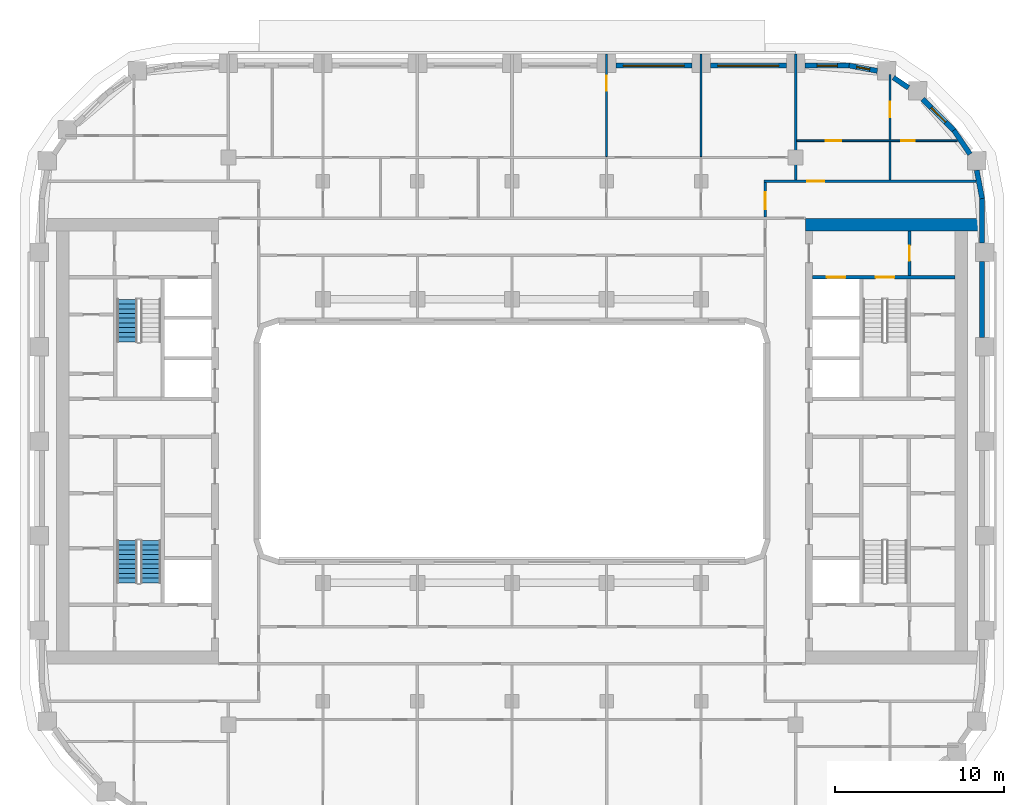
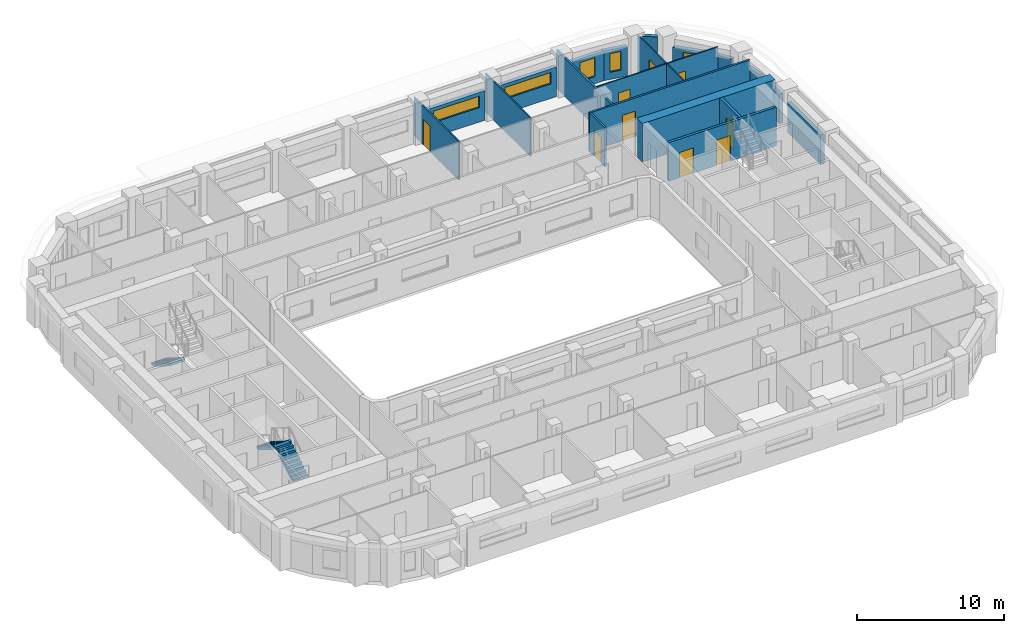
# One storey, part 9 of 22: 21 walls, 9 doors, 5 windows, 3 stair flights, 14 openings, 2 elements without a shape of their own.
"""IFC4 building model written with IfcOpenShell, lengths in metres."""

from ifc_helpers import new_model, si_unit, direction, frame, frame_2d, origin, place, context, subcontext, project, spatial, polyline, rectangle, outline, extrude, material, layer, layer_set, type_object, element, fill, aggregate, save


model = new_model("IFC4")

# Units and contexts
model_context = context("Model", 3, precision=1e-05, world=origin(), true_north=direction((0.0, 1.0)))
body_context = subcontext(model_context, "Body", "Model", "MODEL_VIEW")
ifc_project = project(units=[si_unit("LENGTHUNIT", "METRE"), si_unit("AREAUNIT", "SQUARE_METRE"), si_unit("VOLUMEUNIT", "CUBIC_METRE"), si_unit("PLANEANGLEUNIT", "RADIAN"), si_unit("MASSUNIT", "GRAM", prefix="KILO")], contexts=[model_context])

# Site, building, storey
site_placement = place(None, origin())
site = spatial("IfcSite", under=ifc_project, at=site_placement, CompositionType="ELEMENT")
building_placement = place(site_placement, origin())
building = spatial("IfcBuilding", under=site, at=building_placement, Name="Kiln Ring Residences", CompositionType="ELEMENT")
storey_placement = place(building_placement, frame((0.0, 0.0, 146.60009765625)))
storey = spatial("IfcBuildingStorey", under=building, at=storey_placement, Name="L37", CompositionType="ELEMENT", Elevation=146.60009765625)

# Wall, opening, door
ifc_material_1 = material(Name="Gypsum board on steel studs", Category="steel")
ifc_layer_1 = layer(ifc_material_1, 0.199951171875)
ifc_layer_set_1 = layer_set([ifc_layer_1], Name="CORE-PARTITION-200")
wall_type_1 = type_object("IfcWallType", Name="CORE-PARTITION-200", PredefinedType="PARTITIONING", material=ifc_layer_set_1)
wall_1_placement = place(storey_placement, frame((23.550048828125, 9.800048828125, 0.0), z_axis=(0.0, 0.0, 1.0), x_axis=(0.0, 1.0, 0.0)))
wall_1 = element("IfcWall", 1, at=wall_1_placement, inside=storey, type_object=wall_type_1, Name="Core partition east L37 4", PredefinedType="PARTITIONING", context=body_context, shape_type="SweptSolid", body=[
    extrude(rectangle(XDim=2.64990234375, YDim=0.199951171875, at=frame_2d((1.324951171875, 0.0))), origin(), (0.0, 0.0, 1.0), 3.199951171875),
])
opening_1_placement = place(wall_1_placement, frame((0.875, 0.0, 0.0)))
opening_1 = element("IfcOpeningElement", 2, at=opening_1_placement, cuts=wall_1, Name="Opening L37-CE09", PredefinedType="OPENING", context=body_context, shape_type="SweptSolid", body=[
    extrude(rectangle(XDim=0.89990234375, YDim=2.10009765625, at=frame_2d((0.449951171875, 1.050048828125))), frame((0.0, 0.10986328125, 0.0), z_axis=(0.0, -1.0, 0.0), x_axis=(1.0, 0.0, 0.0)), (0.0, 0.0, 1.0), 0.219970703125),
])
ifc_material_2 = material(Name="Steel door leaf", Category="steel")
door_type_1 = type_object("IfcDoorType", Name="CORE-DOOR-ROOM", OperationType="SINGLE_SWING_LEFT", PredefinedType="DOOR", material=ifc_material_2)
door_1_placement = place(opening_1_placement, origin())
door_1 = element("IfcDoor", 3, at=door_1_placement, inside=storey, type_object=door_type_1, Name="Fire riser room L37-CE09", OperationType="SINGLE_SWING_RIGHT", OverallHeight=2.10009765625, OverallWidth=0.89990234375, PredefinedType="DOOR", context=body_context, shape_type="SweptSolid", body=[
    extrude(rectangle(XDim=0.89990234375, YDim=2.10009765625, at=frame_2d((0.449951171875, 1.050048828125))), frame((0.0, 0.02490234375, 0.0), z_axis=(0.0, -1.0, 0.0), x_axis=(1.0, 0.0, 0.0)), (0.0, 0.0, 1.0), 0.050048828125),
])
fill(opening_1, door_1)

# Wall, openings, doors
ifc_material_3 = material(Name="Concrete C40/50", Category="concrete")
ifc_layer_2 = layer(ifc_material_3, 0.199951171875)
ifc_layer_set_2 = layer_set([ifc_layer_2], Name="CORE-WALL-RC200")
wall_type_2 = type_object("IfcWallType", Name="CORE-WALL-RC200", PredefinedType="SHEAR", material=ifc_layer_set_2)
wall_2_placement = place(storey_placement, frame((17.800048828125, 9.699951171875, 0.0), z_axis=(0.0, 0.0, 1.0), x_axis=(1.0, 0.0, 0.0)))
wall_2 = element("IfcWall", 4, at=wall_2_placement, inside=storey, type_object=wall_type_2, Name="Core wall east L37 9", PredefinedType="SHEAR", context=body_context, shape_type="SweptSolid", body=[
    extrude(rectangle(XDim=8.449951171875, YDim=0.199951171875, at=frame_2d((4.22509765625, 0.0))), origin(), (0.0, 0.0, 1.0), 3.199951171875),
])
opening_2_placement = place(wall_2_placement, frame((0.85009765625, 0.0, 0.0)))
opening_2 = element("IfcOpeningElement", 5, at=opening_2_placement, cuts=wall_2, Name="Opening L37-CE06", PredefinedType="OPENING", context=body_context, shape_type="SweptSolid", body=[
    extrude(rectangle(XDim=1.10009765625, YDim=2.10009765625, at=frame_2d((0.550048828125, 1.050048828125))), frame((0.0, 0.10986328125, 0.0), z_axis=(0.0, -1.0, 0.0), x_axis=(1.0, 0.0, 0.0)), (0.0, 0.0, 1.0), 0.219970703125),
])
opening_3_placement = place(wall_2_placement, frame((3.75, 0.0, 0.0)))
opening_3 = element("IfcOpeningElement", 6, at=opening_3_placement, cuts=wall_2, Name="Opening L37-CE11", PredefinedType="OPENING", context=body_context, shape_type="SweptSolid", body=[
    extrude(rectangle(XDim=1.10009765625, YDim=2.10009765625, at=frame_2d((0.550048828125, 1.050048828125))), frame((0.0, 0.10986328125, 0.0), z_axis=(0.0, -1.0, 0.0), x_axis=(1.0, 0.0, 0.0)), (0.0, 0.0, 1.0), 0.219970703125),
])
ifc_material_4 = material(Name="Steel door leaf", Category="steel")
door_type_2 = type_object("IfcDoorType", Name="CORE-DOOR-LD", OperationType="DOUBLE_DOOR_SLIDING", PredefinedType="DOOR", material=ifc_material_4)
door_2_placement = place(opening_2_placement, origin())
door_2 = element("IfcDoor", 7, at=door_2_placement, inside=storey, type_object=door_type_2, Name="LD E-FF L37-CE06", OperationType="DOUBLE_DOOR_SLIDING", OverallHeight=2.10009765625, OverallWidth=1.10009765625, PredefinedType="DOOR", context=body_context, shape_type="SweptSolid", body=[
    extrude(rectangle(XDim=1.10009765625, YDim=2.10009765625, at=frame_2d((0.550048828125, 1.050048828125))), frame((0.0, 0.02490234375, 0.0), z_axis=(0.0, -1.0, 0.0), x_axis=(1.0, 0.0, 0.0)), (0.0, 0.0, 1.0), 0.050048828125),
])
fill(opening_2, door_2)
ifc_material_5 = material(Name="Steel door leaf", Category="steel")
door_type_3 = type_object("IfcDoorType", Name="CORE-DOOR-STAIR", OperationType="SINGLE_SWING_LEFT", PredefinedType="DOOR", material=ifc_material_5)
door_3_placement = place(opening_3_placement, origin())
door_3 = element("IfcDoor", 8, at=door_3_placement, inside=storey, type_object=door_type_3, Name="Stair E-STN L37-CE11", OperationType="SINGLE_SWING_RIGHT", OverallHeight=2.10009765625, OverallWidth=1.10009765625, PredefinedType="DOOR", context=body_context, shape_type="SweptSolid", body=[
    extrude(rectangle(XDim=1.10009765625, YDim=2.10009765625, at=frame_2d((0.550048828125, 1.050048828125))), frame((0.0, 0.02490234375, 0.0), z_axis=(0.0, -1.0, 0.0), x_axis=(1.0, 0.0, 0.0)), (0.0, 0.0, 1.0), 0.050048828125),
])
fill(opening_3, door_3)

# Walls
ifc_material_6 = material(Name="Concrete C60/75", Category="concrete")
ifc_layer_3 = layer(ifc_material_6, 0.75)
ifc_layer_set_3 = layer_set([ifc_layer_3], Name="CORE-WALL-RC750")
wall_type_3 = type_object("IfcWallType", Name="CORE-WALL-RC750", PredefinedType="SHEAR", material=ifc_layer_set_3)
wall_3_placement = place(storey_placement, frame((17.39990234375, 12.824951171875, 0.0), z_axis=(0.0, 0.0, 1.0), x_axis=(1.0, 0.0, 0.0)))
element("IfcWall", 9, at=wall_3_placement, inside=storey, type_object=wall_type_3, Name="Core wall east L37 4", PredefinedType="SHEAR", context=body_context, shape_type="SweptSolid", body=[
    extrude(rectangle(XDim=10.400146484375, YDim=0.75, at=frame_2d((5.2001953125, 0.0))), origin(), (0.0, 0.0, 1.0), 3.199951171875),
])
ifc_material_7 = material(Name="Brick masonry, dark clay brick", Category="masonry")
ifc_layer_4 = layer(ifc_material_7, 0.300048828125)
ifc_layer_set_4 = layer_set([ifc_layer_4], Name="EW-300 BRICK WALL")
wall_type_4 = type_object("IfcWallType", Name="EW-300 BRICK WALL", PredefinedType="SOLIDWALL", material=ifc_layer_set_4)
wall_4_placement = place(storey_placement, frame((27.85009765625, 6.14990234375, 0.0), z_axis=(0.0, 0.0, 1.0), x_axis=(0.0, 1.0, 0.0)))
element("IfcWall", 10, at=wall_4_placement, inside=storey, type_object=wall_type_4, Name="Facade wall L37 21", PredefinedType="SOLIDWALL", context=body_context, shape_type="SweptSolid", body=[
    extrude(rectangle(XDim=4.5, YDim=0.300048828125, at=frame_2d((2.25, 0.0))), origin(), (0.0, 0.0, 1.0), 2.449951171875),
])
wall_5_placement = place(storey_placement, frame((27.85009765625, 11.75, 0.0), z_axis=(0.0, 0.0, 1.0), x_axis=(0.0, 1.0, 0.0)))
element("IfcWall", 11, at=wall_5_placement, inside=storey, type_object=wall_type_4, Name="Facade wall L37 22", PredefinedType="SOLIDWALL", context=body_context, shape_type="SweptSolid", body=[
    extrude(rectangle(XDim=2.64990234375, YDim=0.300048828125, at=frame_2d((1.324951171875, 0.0))), origin(), (0.0, 0.0, 1.0), 2.449951171875),
])
wall_6_placement = place(storey_placement, frame((27.8525390625, 14.371826171875, 0.0), z_axis=(0.0, 0.0, 1.0), x_axis=(-0.187302784601, 0.982302227871, 0.0)))
element("IfcWall", 12, at=wall_6_placement, inside=storey, type_object=wall_type_4, Name="Facade wall L37 23", PredefinedType="SOLIDWALL", context=body_context, shape_type="SweptSolid", body=[
    extrude(rectangle(XDim=1.706298828125, YDim=0.300048828125, at=frame_2d((0.85302734375, 0.0))), origin(), (0.0, 0.0, 1.0), 2.449951171875),
])
wall_7_placement = place(storey_placement, frame((27.137939453125, 17.001708984375, 0.0), z_axis=(0.0, 0.0, 1.0), x_axis=(-0.562075160946, 0.827086158419, 0.0)))
element("IfcWall", 13, at=wall_7_placement, inside=storey, type_object=wall_type_4, Name="Facade wall L37 24", PredefinedType="SOLIDWALL", context=body_context, shape_type="SweptSolid", body=[
    extrude(rectangle(XDim=1.7060546875, YDim=0.300048828125, at=frame_2d((0.85302734375, 0.0))), origin(), (0.0, 0.0, 1.0), 2.449951171875),
])

# Wall, opening, window
wall_8_placement = place(storey_placement, frame((26.19677734375, 18.390869140625, 0.0), z_axis=(0.0, 0.0, 1.0), x_axis=(-0.707060717099, 0.707152842274, 0.0)))
wall_8 = element("IfcWall", 14, at=wall_8_placement, inside=storey, type_object=wall_type_4, Name="Facade wall L37 25", PredefinedType="SOLIDWALL", context=body_context, shape_type="SweptSolid", body=[
    extrude(rectangle(XDim=2.650146484375, YDim=0.300048828125, at=frame_2d((1.3251953125, 0.0))), origin(), (0.0, 0.0, 1.0), 2.449951171875),
])
opening_4_placement = place(wall_8_placement, frame((0.72509765625, 0.0, 0.60009765625)))
opening_4 = element("IfcOpeningElement", 15, at=opening_4_placement, cuts=wall_8, Name="Opening W1", PredefinedType="OPENING", context=body_context, shape_type="SweptSolid", body=[
    extrude(rectangle(XDim=1.199951171875, YDim=1.550048828125, at=frame_2d((0.60009765625, 0.77490234375))), frame((0.0, 0.159912109375, 0.0), z_axis=(0.0, -1.0, 0.0), x_axis=(1.0, 0.0, 0.0)), (0.0, 0.0, 1.0), 0.320068359375),
])
ifc_material_8 = material(Name="Aluminium frame with double glazing", Category="aluminium")
window_type_1 = type_object("IfcWindowType", Name="WINDOW 1200 x 1550", PartitioningType="SINGLE_PANEL", PredefinedType="WINDOW", material=ifc_material_8)
window_1_placement = place(opening_4_placement, origin())
window_1 = element("IfcWindow", 16, at=window_1_placement, inside=storey, type_object=window_type_1, Name="Window L37 14", OverallHeight=1.550048828125, OverallWidth=1.199951171875, PartitioningType="SINGLE_PANEL", PredefinedType="WINDOW", context=body_context, shape_type="SweptSolid", body=[
    extrude(rectangle(XDim=1.199951171875, YDim=1.550048828125, at=frame_2d((0.60009765625, 0.77490234375))), frame((0.0, 0.030029296875, 0.0), z_axis=(0.0, -1.0, 0.0), x_axis=(1.0, 0.0, 0.0)), (0.0, 0.0, 1.0), 0.06005859375),
])
fill(opening_4, window_1)

# Wall
wall_9_placement = place(storey_placement, frame((23.492431640625, 20.932373046875, 0.0), z_axis=(0.0, 0.0, 1.0), x_axis=(-0.826993959827, 0.562210806023, 0.0)))
element("IfcWall", 17, at=wall_9_placement, inside=storey, type_object=wall_type_4, Name="Facade wall L37 26", PredefinedType="SOLIDWALL", context=body_context, shape_type="SweptSolid", body=[
    extrude(rectangle(XDim=1.076904296875, YDim=0.300048828125, at=frame_2d((0.53857421875, 0.0))), origin(), (0.0, 0.0, 1.0), 3.199951171875),
])

# Wall, opening, window
wall_10_placement = place(storey_placement, frame((21.647705078125, 21.93310546875, 0.0), z_axis=(0.0, 0.0, 1.0), x_axis=(-0.982297206936, 0.187329114784, 0.0)))
wall_10 = element("IfcWall", 18, at=wall_10_placement, inside=storey, type_object=wall_type_4, Name="Facade wall L37 27", PredefinedType="SOLIDWALL", context=body_context, shape_type="SweptSolid", body=[
    extrude(rectangle(XDim=1.7060546875, YDim=0.300048828125, at=frame_2d((0.85302734375, 0.0))), origin(), (0.0, 0.0, 1.0), 2.449951171875),
])
opening_5_placement = place(wall_10_placement, frame((0.453125, 0.0, 0.60009765625)))
opening_5 = element("IfcOpeningElement", 19, at=opening_5_placement, cuts=wall_10, Name="Opening W5", PredefinedType="OPENING", context=body_context, shape_type="SweptSolid", body=[
    extrude(rectangle(XDim=0.800048828125, YDim=1.550048828125, at=frame_2d((0.39990234375, 0.77490234375))), frame((0.0, 0.159912109375, 0.0), z_axis=(0.0, -1.0, 0.0), x_axis=(1.0, 0.0, 0.0)), (0.0, 0.0, 1.0), 0.320068359375),
])
ifc_material_9 = material(Name="Aluminium frame with double glazing", Category="aluminium")
window_type_2 = type_object("IfcWindowType", Name="WINDOW 800 x 1550", PartitioningType="SINGLE_PANEL", PredefinedType="WINDOW", material=ifc_material_9)
window_2_placement = place(opening_5_placement, origin())
window_2 = element("IfcWindow", 20, at=window_2_placement, inside=storey, type_object=window_type_2, Name="Window L37 15", OverallHeight=1.550048828125, OverallWidth=0.800048828125, PartitioningType="SINGLE_PANEL", PredefinedType="WINDOW", context=body_context, shape_type="SweptSolid", body=[
    extrude(rectangle(XDim=0.800048828125, YDim=1.550048828125, at=frame_2d((0.39990234375, 0.77490234375))), frame((0.0, 0.030029296875, 0.0), z_axis=(0.0, -1.0, 0.0), x_axis=(1.0, 0.0, 0.0)), (0.0, 0.0, 1.0), 0.06005859375),
])
fill(opening_5, window_2)

wall_11_placement = place(storey_placement, frame((20.0, 22.25, 0.0), z_axis=(0.0, 0.0, 1.0), x_axis=(-1.0, 0.0, 0.0)))
wall_11 = element("IfcWall", 21, at=wall_11_placement, inside=storey, type_object=wall_type_4, Name="Facade wall L37 28", PredefinedType="SOLIDWALL", context=body_context, shape_type="SweptSolid", body=[
    extrude(rectangle(XDim=2.64990234375, YDim=0.300048828125, at=frame_2d((1.324951171875, 0.0))), origin(), (0.0, 0.0, 1.0), 2.449951171875),
])
opening_6_placement = place(wall_11_placement, frame((0.72509765625, 0.0, 0.60009765625)))
opening_6 = element("IfcOpeningElement", 22, at=opening_6_placement, cuts=wall_11, Name="Opening W1", PredefinedType="OPENING", context=body_context, shape_type="SweptSolid", body=[
    extrude(rectangle(XDim=1.199951171875, YDim=1.550048828125, at=frame_2d((0.60009765625, 0.77490234375))), frame((0.0, 0.159912109375, 0.0), z_axis=(0.0, -1.0, 0.0), x_axis=(1.0, 0.0, 0.0)), (0.0, 0.0, 1.0), 0.320068359375),
])
window_3_placement = place(opening_6_placement, origin())
window_3 = element("IfcWindow", 23, at=window_3_placement, inside=storey, type_object=window_type_1, Name="Window L37 16", OverallHeight=1.550048828125, OverallWidth=1.199951171875, PartitioningType="SINGLE_PANEL", PredefinedType="WINDOW", context=body_context, shape_type="SweptSolid", body=[
    extrude(rectangle(XDim=1.199951171875, YDim=1.550048828125, at=frame_2d((0.60009765625, 0.77490234375))), frame((0.0, 0.030029296875, 0.0), z_axis=(0.0, -1.0, 0.0), x_axis=(1.0, 0.0, 0.0)), (0.0, 0.0, 1.0), 0.06005859375),
])
fill(opening_6, window_3)

wall_12_placement = place(storey_placement, frame((16.25, 22.25, 0.0), z_axis=(0.0, 0.0, 1.0), x_axis=(-1.0, 0.0, 0.0)))
wall_12 = element("IfcWall", 24, at=wall_12_placement, inside=storey, type_object=wall_type_4, Name="Facade wall L37 29", PredefinedType="SOLIDWALL", context=body_context, shape_type="SweptSolid", body=[
    extrude(rectangle(XDim=4.5, YDim=0.300048828125, at=frame_2d((2.25, 0.0))), origin(), (0.0, 0.0, 1.0), 2.449951171875),
])
opening_7_placement = place(wall_12_placement, frame((0.449951171875, 0.0, 1.199951171875)))
opening_7 = element("IfcOpeningElement", 25, at=opening_7_placement, cuts=wall_12, Name="Opening W4", PredefinedType="OPENING", context=body_context, shape_type="SweptSolid", body=[
    extrude(rectangle(XDim=3.60009765625, YDim=0.949951171875, at=frame_2d((1.800048828125, 0.47509765625))), frame((0.0, 0.159912109375, 0.0), z_axis=(0.0, -1.0, 0.0), x_axis=(1.0, 0.0, 0.0)), (0.0, 0.0, 1.0), 0.320068359375),
])
ifc_material_10 = material(Name="Aluminium frame with double glazing", Category="aluminium")
window_type_3 = type_object("IfcWindowType", Name="WINDOW 3600 x 950", PartitioningType="SINGLE_PANEL", PredefinedType="WINDOW", material=ifc_material_10)
window_4_placement = place(opening_7_placement, origin())
window_4 = element("IfcWindow", 26, at=window_4_placement, inside=storey, type_object=window_type_3, Name="Window L37 17", OverallHeight=0.949951171875, OverallWidth=3.60009765625, PartitioningType="SINGLE_PANEL", PredefinedType="WINDOW", context=body_context, shape_type="SweptSolid", body=[
    extrude(rectangle(XDim=3.60009765625, YDim=0.949951171875, at=frame_2d((1.800048828125, 0.47509765625))), frame((0.0, 0.030029296875, 0.0), z_axis=(0.0, -1.0, 0.0), x_axis=(1.0, 0.0, 0.0)), (0.0, 0.0, 1.0), 0.06005859375),
])
fill(opening_7, window_4)

wall_13_placement = place(storey_placement, frame((10.64990234375, 22.25, 0.0), z_axis=(0.0, 0.0, 1.0), x_axis=(-1.0, 0.0, 0.0)))
wall_13 = element("IfcWall", 27, at=wall_13_placement, inside=storey, type_object=wall_type_4, Name="Facade wall L37 30", PredefinedType="SOLIDWALL", context=body_context, shape_type="SweptSolid", body=[
    extrude(rectangle(XDim=4.5, YDim=0.300048828125, at=frame_2d((2.25, 0.0))), origin(), (0.0, 0.0, 1.0), 2.449951171875),
])
opening_8_placement = place(wall_13_placement, frame((0.449951171875, 0.0, 1.199951171875)))
opening_8 = element("IfcOpeningElement", 28, at=opening_8_placement, cuts=wall_13, Name="Opening W4", PredefinedType="OPENING", context=body_context, shape_type="SweptSolid", body=[
    extrude(rectangle(XDim=3.60009765625, YDim=0.949951171875, at=frame_2d((1.800048828125, 0.47509765625))), frame((0.0, 0.159912109375, 0.0), z_axis=(0.0, -1.0, 0.0), x_axis=(1.0, 0.0, 0.0)), (0.0, 0.0, 1.0), 0.320068359375),
])
window_5_placement = place(opening_8_placement, origin())
window_5 = element("IfcWindow", 29, at=window_5_placement, inside=storey, type_object=window_type_3, Name="Window L37 18", OverallHeight=0.949951171875, OverallWidth=3.60009765625, PartitioningType="SINGLE_PANEL", PredefinedType="WINDOW", context=body_context, shape_type="SweptSolid", body=[
    extrude(rectangle(XDim=3.60009765625, YDim=0.949951171875, at=frame_2d((1.800048828125, 0.47509765625))), frame((0.0, 0.030029296875, 0.0), z_axis=(0.0, -1.0, 0.0), x_axis=(1.0, 0.0, 0.0)), (0.0, 0.0, 1.0), 0.06005859375),
])
fill(opening_8, window_5)

# Wall, openings, doors
ifc_material_11 = material(Name="Gypsum board on steel studs", Category="steel")
ifc_layer_5 = layer(ifc_material_11, 0.10009765625)
ifc_layer_set_5 = layer_set([ifc_layer_5], Name="PARTITION-100")
wall_type_5 = type_object("IfcWallType", Name="PARTITION-100", PredefinedType="PARTITIONING", material=ifc_layer_set_5)
wall_14_placement = place(storey_placement, frame((16.875, 17.800048828125, 0.0), z_axis=(0.0, 0.0, 1.0), x_axis=(1.0, 0.0, 0.0)))
wall_14 = element("IfcWall", 30, at=wall_14_placement, inside=storey, type_object=wall_type_5, Name="Partition 012", PredefinedType="PARTITIONING", context=body_context, shape_type="SweptSolid", body=[
    extrude(rectangle(XDim=9.51904296875, YDim=0.10009765625, at=frame_2d((4.759521484375, 0.0))), origin(), (0.0, 0.0, 1.0), 3.199951171875),
])
opening_9_placement = place(wall_14_placement, frame((6.175048828125, 0.0, 0.0)))
opening_9 = element("IfcOpeningElement", 31, at=opening_9_placement, cuts=wall_14, Name="Opening L37-D031", PredefinedType="OPENING", context=body_context, shape_type="SweptSolid", body=[
    extrude(rectangle(XDim=0.800048828125, YDim=2.10009765625, at=frame_2d((0.39990234375, 1.050048828125))), frame((0.0, 0.06005859375, 0.0), z_axis=(0.0, -1.0, 0.0), x_axis=(1.0, 0.0, 0.0)), (0.0, 0.0, 1.0), 0.1201171875),
])
opening_10_placement = place(wall_14_placement, frame((1.72509765625, 0.0, 0.0)))
opening_10 = element("IfcOpeningElement", 32, at=opening_10_placement, cuts=wall_14, Name="Opening L37-D032", PredefinedType="OPENING", context=body_context, shape_type="SweptSolid", body=[
    extrude(rectangle(XDim=0.89990234375, YDim=2.10009765625, at=frame_2d((0.449951171875, 1.050048828125))), frame((0.0, 0.06005859375, 0.0), z_axis=(0.0, -1.0, 0.0), x_axis=(1.0, 0.0, 0.0)), (0.0, 0.0, 1.0), 0.1201171875),
])
ifc_material_12 = material(Name="Timber door leaf", Category="wood")
door_type_4 = type_object("IfcDoorType", Name="FLAT-DOOR-800-PL", OperationType="SINGLE_SWING_LEFT", PredefinedType="DOOR", material=ifc_material_12)
door_4_placement = place(opening_9_placement, origin())
door_4 = element("IfcDoor", 33, at=door_4_placement, inside=storey, type_object=door_type_4, Name="Door L37-D031", OperationType="SINGLE_SWING_LEFT", OverallHeight=2.10009765625, OverallWidth=0.800048828125, PredefinedType="DOOR", context=body_context, shape_type="SweptSolid", body=[
    extrude(rectangle(XDim=0.800048828125, YDim=2.10009765625, at=frame_2d((0.39990234375, 1.050048828125))), frame((0.0, 0.02490234375, 0.0), z_axis=(0.0, -1.0, 0.0), x_axis=(1.0, 0.0, 0.0)), (0.0, 0.0, 1.0), 0.050048828125),
])
fill(opening_9, door_4)
ifc_material_13 = material(Name="Timber door leaf", Category="wood")
door_type_5 = type_object("IfcDoorType", Name="FLAT-DOOR-900-PL", OperationType="SINGLE_SWING_LEFT", PredefinedType="DOOR", material=ifc_material_13)
door_5_placement = place(opening_10_placement, origin())
door_5 = element("IfcDoor", 34, at=door_5_placement, inside=storey, type_object=door_type_5, Name="Door L37-D032", OperationType="SINGLE_SWING_RIGHT", OverallHeight=2.10009765625, OverallWidth=0.89990234375, PredefinedType="DOOR", context=body_context, shape_type="SweptSolid", body=[
    extrude(rectangle(XDim=0.89990234375, YDim=2.10009765625, at=frame_2d((0.449951171875, 1.050048828125))), frame((0.0, 0.02490234375, 0.0), z_axis=(0.0, -1.0, 0.0), x_axis=(1.0, 0.0, 0.0)), (0.0, 0.0, 1.0), 0.050048828125),
])
fill(opening_10, door_5)

# Wall, opening, door
wall_15_placement = place(storey_placement, frame((5.60009765625, 16.85009765625, 0.0), z_axis=(0.0, 0.0, 1.0), x_axis=(0.0, 1.0, 0.0)))
wall_15 = element("IfcWall", 35, at=wall_15_placement, inside=storey, type_object=wall_type_5, Name="Partition 048", PredefinedType="PARTITIONING", context=body_context, shape_type="SweptSolid", body=[
    extrude(rectangle(XDim=6.079833984375, YDim=0.10009765625, at=frame_2d((3.0400390625, 0.0))), origin(), (0.0, 0.0, 1.0), 3.199951171875),
])
opening_11_placement = place(wall_15_placement, frame((3.909912109375, 0.0, 0.0)))
opening_11 = element("IfcOpeningElement", 36, at=opening_11_placement, cuts=wall_15, Name="Opening L37-D029", PredefinedType="OPENING", context=body_context, shape_type="SweptSolid", body=[
    extrude(rectangle(XDim=0.89990234375, YDim=2.10009765625, at=frame_2d((0.449951171875, 1.050048828125))), frame((0.0, 0.06005859375, 0.0), z_axis=(0.0, -1.0, 0.0), x_axis=(1.0, 0.0, 0.0)), (0.0, 0.0, 1.0), 0.1201171875),
])
door_6_placement = place(opening_11_placement, origin())
door_6 = element("IfcDoor", 37, at=door_6_placement, inside=storey, type_object=door_type_5, Name="Door L37-D029", OperationType="SINGLE_SWING_LEFT", OverallHeight=2.10009765625, OverallWidth=0.89990234375, PredefinedType="DOOR", context=body_context, shape_type="SweptSolid", body=[
    extrude(rectangle(XDim=0.89990234375, YDim=2.10009765625, at=frame_2d((0.449951171875, 1.050048828125))), frame((0.0, 0.02490234375, 0.0), z_axis=(0.0, -1.0, 0.0), x_axis=(1.0, 0.0, 0.0)), (0.0, 0.0, 1.0), 0.050048828125),
])
fill(opening_11, door_6)

# Walls
wall_16_placement = place(storey_placement, frame((11.199951171875, 16.85009765625, 0.0), z_axis=(0.0, 0.0, 1.0), x_axis=(0.0, 1.0, 0.0)))
element("IfcWall", 38, at=wall_16_placement, inside=storey, type_object=wall_type_5, Name="Partition 056", PredefinedType="PARTITIONING", context=body_context, shape_type="SweptSolid", body=[
    extrude(rectangle(XDim=6.079833984375, YDim=0.10009765625, at=frame_2d((3.0400390625, 0.0))), origin(), (0.0, 0.0, 1.0), 3.199951171875),
])
wall_17_placement = place(storey_placement, frame((22.39990234375, 15.47509765625, 0.0), z_axis=(0.0, 0.0, 1.0), x_axis=(0.0, 1.0, 0.0)))
element("IfcWall", 39, at=wall_17_placement, inside=storey, type_object=wall_type_5, Name="Partition 065", PredefinedType="PARTITIONING", context=body_context, shape_type="SweptSolid", body=[
    extrude(rectangle(XDim=2.27490234375, YDim=0.10009765625, at=frame_2d((1.137451171875, 0.0))), origin(), (0.0, 0.0, 1.0), 3.199951171875),
])

# Wall, opening, door
wall_18_placement = place(storey_placement, frame((22.39990234375, 17.85009765625, 0.0), z_axis=(0.0, 0.0, 1.0), x_axis=(0.0, 1.0, 0.0)))
wall_18 = element("IfcWall", 40, at=wall_18_placement, inside=storey, type_object=wall_type_5, Name="Partition 066", PredefinedType="PARTITIONING", context=body_context, shape_type="SweptSolid", body=[
    extrude(rectangle(XDim=3.869873046875, YDim=0.10009765625, at=frame_2d((1.93505859375, 0.0))), origin(), (0.0, 0.0, 1.0), 3.199951171875),
])
opening_12_placement = place(wall_18_placement, frame((1.35009765625, 0.0, 0.0)))
opening_12 = element("IfcOpeningElement", 41, at=opening_12_placement, cuts=wall_18, Name="Opening L37-D033", PredefinedType="OPENING", context=body_context, shape_type="SweptSolid", body=[
    extrude(rectangle(XDim=0.89990234375, YDim=2.10009765625, at=frame_2d((0.449951171875, 1.050048828125))), frame((0.0, 0.06005859375, 0.0), z_axis=(0.0, -1.0, 0.0), x_axis=(1.0, 0.0, 0.0)), (0.0, 0.0, 1.0), 0.1201171875),
])
door_7_placement = place(opening_12_placement, origin())
door_7 = element("IfcDoor", 42, at=door_7_placement, inside=storey, type_object=door_type_5, Name="Door L37-D033", OperationType="SINGLE_SWING_LEFT", OverallHeight=2.10009765625, OverallWidth=0.89990234375, PredefinedType="DOOR", context=body_context, shape_type="SweptSolid", body=[
    extrude(rectangle(XDim=0.89990234375, YDim=2.10009765625, at=frame_2d((0.449951171875, 1.050048828125))), frame((0.0, 0.02490234375, 0.0), z_axis=(0.0, -1.0, 0.0), x_axis=(1.0, 0.0, 0.0)), (0.0, 0.0, 1.0), 0.050048828125),
])
fill(opening_12, door_7)

ifc_material_14 = material(Name="Brick masonry partition", Category="masonry")
ifc_layer_6 = layer(ifc_material_14, 0.14990234375)
ifc_layer_set_6 = layer_set([ifc_layer_6], Name="PARTITION-150-ei60")
wall_type_6 = type_object("IfcWallType", Name="PARTITION-150-ei60", PredefinedType="PARTITIONING", material=ifc_layer_set_6)
wall_19_placement = place(storey_placement, frame((14.925048828125, 15.39990234375, 0.0), z_axis=(0.0, 0.0, 1.0), x_axis=(1.0, 0.0, 0.0)))
wall_19 = element("IfcWall", 43, at=wall_19_placement, inside=storey, type_object=wall_type_6, Name="Partition 010", PredefinedType="PARTITIONING", context=body_context, shape_type="SweptSolid", body=[
    extrude(rectangle(XDim=12.558837890625, YDim=0.14990234375, at=frame_2d((6.279296875, 0.0))), origin(), (0.0, 0.0, 1.0), 3.199951171875),
])
opening_13_placement = place(wall_19_placement, frame((2.574951171875, 0.0, 0.0)))
opening_13 = element("IfcOpeningElement", 44, at=opening_13_placement, cuts=wall_19, Name="Opening L37-D030", PredefinedType="OPENING", context=body_context, shape_type="SweptSolid", body=[
    extrude(rectangle(XDim=1.0, YDim=2.10009765625, at=frame_2d((0.5, 1.050048828125))), frame((0.0, 0.0849609375, 0.0), z_axis=(0.0, -1.0, 0.0), x_axis=(1.0, 0.0, 0.0)), (0.0, 0.0, 1.0), 0.169921875),
])
ifc_material_15 = material(Name="Steel faced fire door leaf", Category="steel")
door_type_6 = type_object("IfcDoorType", Name="FLAT-DOOR-1000-FR", OperationType="SINGLE_SWING_LEFT", PredefinedType="DOOR", material=ifc_material_15)
door_8_placement = place(opening_13_placement, origin())
door_8 = element("IfcDoor", 45, at=door_8_placement, inside=storey, type_object=door_type_6, Name="Door L37-D030", OperationType="SINGLE_SWING_RIGHT", OverallHeight=2.10009765625, OverallWidth=1.0, PredefinedType="DOOR", context=body_context, shape_type="SweptSolid", body=[
    extrude(rectangle(XDim=1.0, YDim=2.10009765625, at=frame_2d((0.5, 1.050048828125))), frame((0.0, 0.02490234375, 0.0), z_axis=(0.0, -1.0, 0.0), x_axis=(1.0, 0.0, 0.0)), (0.0, 0.0, 1.0), 0.050048828125),
])
fill(opening_13, door_8)

wall_20_placement = place(storey_placement, frame((15.0, 13.27490234375, 0.0), z_axis=(0.0, 0.0, 1.0), x_axis=(0.0, 1.0, 0.0)))
wall_20 = element("IfcWall", 46, at=wall_20_placement, inside=storey, type_object=wall_type_6, Name="Partition 060", PredefinedType="PARTITIONING", context=body_context, shape_type="SweptSolid", body=[
    extrude(rectangle(XDim=2.050048828125, YDim=0.14990234375, at=frame_2d((1.02490234375, 0.0))), origin(), (0.0, 0.0, 1.0), 3.199951171875),
])
opening_14_placement = place(wall_20_placement, frame((0.47607421875, 0.0, 0.0)))
opening_14 = element("IfcOpeningElement", 47, at=opening_14_placement, cuts=wall_20, Name="Opening L37-D024", PredefinedType="OPENING", context=body_context, shape_type="SweptSolid", body=[
    extrude(rectangle(XDim=1.0, YDim=2.10009765625, at=frame_2d((0.5, 1.050048828125))), frame((0.0, 0.0849609375, 0.0), z_axis=(0.0, -1.0, 0.0), x_axis=(1.0, 0.0, 0.0)), (0.0, 0.0, 1.0), 0.169921875),
])
door_9_placement = place(opening_14_placement, origin())
door_9 = element("IfcDoor", 48, at=door_9_placement, inside=storey, type_object=door_type_6, Name="Door L37-D024", OperationType="SINGLE_SWING_RIGHT", OverallHeight=2.10009765625, OverallWidth=1.0, PredefinedType="DOOR", context=body_context, shape_type="SweptSolid", body=[
    extrude(rectangle(XDim=1.0, YDim=2.10009765625, at=frame_2d((0.5, 1.050048828125))), frame((0.0, 0.02490234375, 0.0), z_axis=(0.0, -1.0, 0.0), x_axis=(1.0, 0.0, 0.0)), (0.0, 0.0, 1.0), 0.050048828125),
])
fill(opening_14, door_9)

# Wall
wall_21_placement = place(storey_placement, frame((16.800048828125, 15.47509765625, 0.0), z_axis=(0.0, 0.0, 1.0), x_axis=(0.0, 1.0, 0.0)))
element("IfcWall", 49, at=wall_21_placement, inside=storey, type_object=wall_type_6, Name="Partition 062", PredefinedType="PARTITIONING", context=body_context, shape_type="SweptSolid", body=[
    extrude(rectangle(XDim=7.454833984375, YDim=0.14990234375, at=frame_2d((3.7275390625, 0.0))), origin(), (0.0, 0.0, 1.0), 3.199951171875),
])

# Stair, stair flight
ifc_material_16 = material(Name="Concrete C40/50", Category="concrete")
stair_type = type_object("IfcStairType", Name="CORE-STAIR", PredefinedType="HALF_TURN_STAIR", material=ifc_material_16)
placement = place(storey_placement, origin())
stair_1 = element("IfcStair", 50, at=placement, inside=storey, type_object=stair_type, Name="L37 stair W-STN", PredefinedType="HALF_TURN_STAIR")
ifc_material_17 = material(Name="Concrete C40/50", Category="concrete")
stair_flight_type = type_object("IfcStairFlightType", Name="CORE-STAIR-FLIGHT", PredefinedType="STRAIGHT", material=ifc_material_17)
stair_flight_1_placement = place(storey_placement, frame((-22.800048828125, 8.39990234375, 0.0), z_axis=(0.0, 0.0, 1.0), x_axis=(0.0, -1.0, 0.0)))
stair_flight_1 = element("IfcStairFlight", 51, at=stair_flight_1_placement, type_object=stair_flight_type, Name="W-STN flight 1", NumberOfRisers=10, NumberOfTreads=9, PredefinedType="STRAIGHT", RiserHeight=0.175, TreadLength=0.28, context=body_context, shape_type="SweptSolid", body=[
    extrude(outline(polyline([(0.0, 0.0), (0.0, 0.175048828125), (0.280029296875, 0.175048828125), (0.280029296875, 0.35009765625), (0.56005859375, 0.35009765625), (0.56005859375, 0.52490234375), (0.840087890625, 0.52490234375), (0.840087890625, 0.699951171875), (1.1201171875, 0.699951171875), (1.1201171875, 0.875), (1.39990234375, 0.875), (1.39990234375, 1.050048828125), (1.679931640625, 1.050048828125), (1.679931640625, 1.22509765625), (1.9599609375, 1.22509765625), (1.9599609375, 1.39990234375), (2.239990234375, 1.39990234375), (2.239990234375, 1.574951171875), (2.52001953125, 1.574951171875), (2.52001953125, 1.75), (2.52001953125, 1.398193359375), (0.28271484375, 0.0), (0.0, 0.0)])), frame((0.0, 0.60009765625, 0.0), z_axis=(0.0, -1.0, 0.0), x_axis=(1.0, 0.0, 0.0)), (0.0, 0.0, 1.0), 1.199951171875),
])
aggregate(stair_1, [stair_flight_1])

# Stair, stair flights
stair_2 = element("IfcStair", 52, at=placement, inside=storey, type_object=stair_type, Name="L37 stair W-STS", PredefinedType="HALF_TURN_STAIR")
stair_flight_2_placement = place(storey_placement, frame((-21.39990234375, -8.39990234375, 0.0), z_axis=(0.0, 0.0, 1.0), x_axis=(0.0, 1.0, 0.0)))
stair_flight_2 = element("IfcStairFlight", 53, at=stair_flight_2_placement, type_object=stair_flight_type, Name="W-STS flight 1", NumberOfRisers=10, NumberOfTreads=9, PredefinedType="STRAIGHT", RiserHeight=0.175, TreadLength=0.28, context=body_context, shape_type="SweptSolid", body=[
    extrude(outline(polyline([(0.0, 0.0), (0.0, 0.175048828125), (0.280029296875, 0.175048828125), (0.280029296875, 0.35009765625), (0.56005859375, 0.35009765625), (0.56005859375, 0.52490234375), (0.840087890625, 0.52490234375), (0.840087890625, 0.699951171875), (1.1201171875, 0.699951171875), (1.1201171875, 0.875), (1.39990234375, 0.875), (1.39990234375, 1.050048828125), (1.679931640625, 1.050048828125), (1.679931640625, 1.22509765625), (1.9599609375, 1.22509765625), (1.9599609375, 1.39990234375), (2.239990234375, 1.39990234375), (2.239990234375, 1.574951171875), (2.52001953125, 1.574951171875), (2.52001953125, 1.75), (2.52001953125, 1.398193359375), (0.28271484375, 0.0), (0.0, 0.0)])), frame((0.0, 0.60009765625, 0.0), z_axis=(0.0, -1.0, 0.0), x_axis=(1.0, 0.0, 0.0)), (0.0, 0.0, 1.0), 1.199951171875),
])
stair_flight_3_placement = place(storey_placement, frame((-22.800048828125, -5.8798828125, 1.75), z_axis=(0.0, 0.0, 1.0), x_axis=(0.0, -1.0, 0.0)))
stair_flight_3 = element("IfcStairFlight", 54, at=stair_flight_3_placement, type_object=stair_flight_type, Name="W-STS flight 2", NumberOfRisers=10, NumberOfTreads=9, PredefinedType="STRAIGHT", RiserHeight=0.175, TreadLength=0.28, context=body_context, shape_type="SweptSolid", body=[
    extrude(outline(polyline([(0.0, 0.0), (0.0, 0.175048828125), (0.280029296875, 0.175048828125), (0.280029296875, 0.35009765625), (0.56005859375, 0.35009765625), (0.56005859375, 0.52490234375), (0.840087890625, 0.52490234375), (0.840087890625, 0.699951171875), (1.1201171875, 0.699951171875), (1.1201171875, 0.875), (1.39990234375, 0.875), (1.39990234375, 1.050048828125), (1.679931640625, 1.050048828125), (1.679931640625, 1.22509765625), (1.9599609375, 1.22509765625), (1.9599609375, 1.39990234375), (2.239990234375, 1.39990234375), (2.239990234375, 1.574951171875), (2.52001953125, 1.574951171875), (2.52001953125, 1.75), (2.52001953125, 1.398193359375), (0.28271484375, 0.0), (0.0, 0.0)])), frame((0.0, 0.60009765625, 0.0), z_axis=(0.0, -1.0, 0.0), x_axis=(1.0, 0.0, 0.0)), (0.0, 0.0, 1.0), 1.199951171875),
])
aggregate(stair_2, [stair_flight_2, stair_flight_3])

save(model, "model.ifc")
